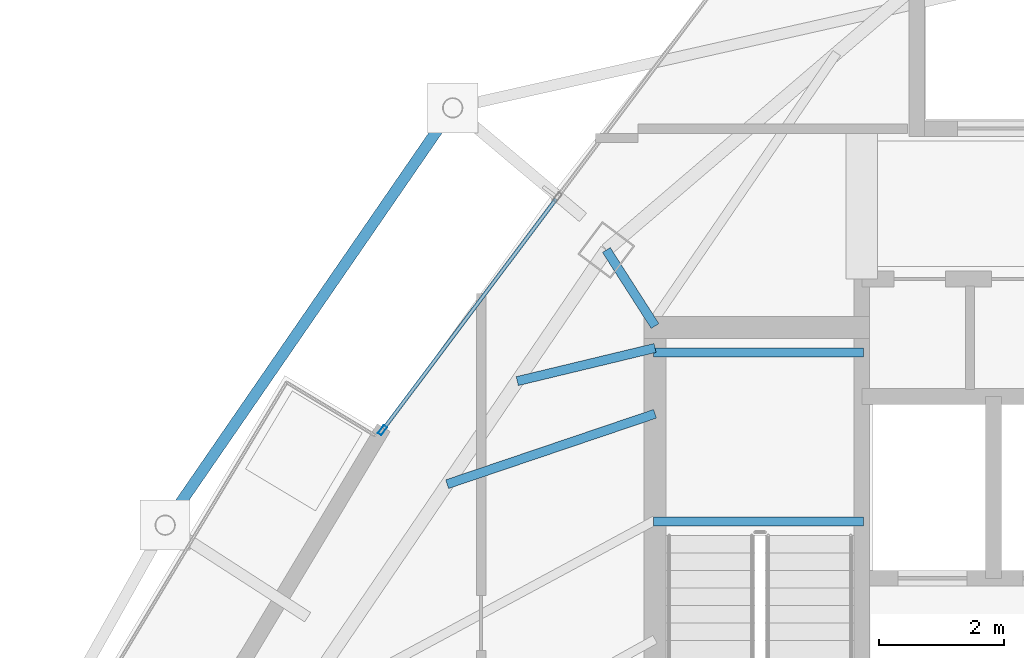
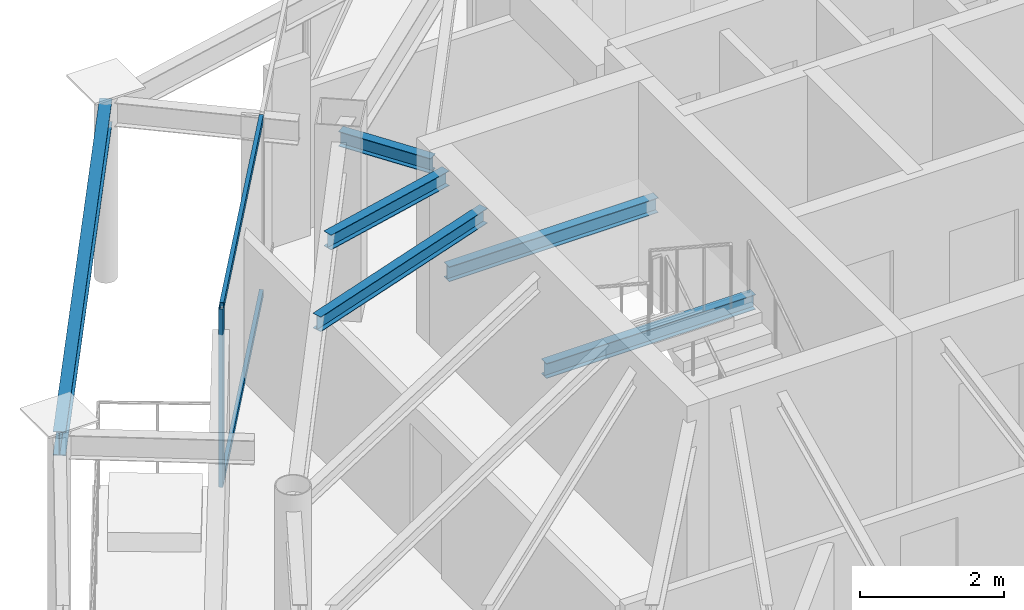
# One storey, part 12 of 30: 6 beams, 3 members, 1 element without a shape of its own.
"""IFC4 building model written with IfcOpenShell, lengths in metres."""

from ifc_helpers import new_model, si_unit, direction, frame, origin, origin_2d, place, context, subcontext, project, spatial, hollow_rectangle, i_section, extrude, material, layer, layer_set, material_profile, profile_set, type_object, element, aggregate, save


model = new_model("IFC4")

# Units and contexts
model_context = context("Model", 3, precision=1e-05, world=origin(), true_north=direction((0.0, 1.0)))
body_context = subcontext(model_context, "Body", "Model", "MODEL_VIEW")
ifc_project = project(units=[si_unit("LENGTHUNIT", "METRE"), si_unit("AREAUNIT", "SQUARE_METRE"), si_unit("VOLUMEUNIT", "CUBIC_METRE"), si_unit("PLANEANGLEUNIT", "RADIAN"), si_unit("MASSUNIT", "GRAM", prefix="KILO")], contexts=[model_context])

# Site, building, storey
site_placement = place(None, origin())
site = spatial("IfcSite", under=ifc_project, at=site_placement, CompositionType="ELEMENT")
building_placement = place(site_placement, origin())
building = spatial("IfcBuilding", under=site, at=building_placement, Name="Orvanel Arch Residences", CompositionType="ELEMENT")
storey_placement = place(building_placement, frame((0.0, 0.0, 273.35009765625)))
storey = spatial("IfcBuildingStorey", under=building, at=storey_placement, Name="L78", CompositionType="ELEMENT", Elevation=273.35009765625)

# Beams
ifc_material_1 = material(Name="Structural steel AS/NZS 3679.1 Grade 300 (300 MPa)", Category="steel")
ifc_material_profile_1 = material_profile(ifc_material_1, i_section(OverallWidth=0.14599609375, OverallDepth=0.251953125, WebThickness=0.006103515625, FlangeThickness=0.008544921875, at=origin_2d()), Name="250UB31.4")
ifc_profile_set_1 = profile_set([ifc_material_profile_1], Name="Structural steel AS/NZS 3679.1 Grade 300 (300 MPa)")
beam_type_1 = type_object("IfcBeamType", Name="BJ-250UB", PredefinedType="JOIST", material=ifc_profile_set_1)
for number, where, z_axis, x_axis, name in (
    (1, (26.39990234375, 30.780029296875, 1.323974609375), (1.0, 0.0, 0.0), (0.0, 1.0, 0.0), "L78 ST-1 Half-Landing Support Beam 1.1"),
    (2, (26.39990234375, 33.47998046875, 1.323974609375), (1.0, 0.0, 0.0), (0.0, 1.0, 0.0), "L78 ST-1 Half-Landing Support Beam 1.2"),
):
    element("IfcBeam", number, at=place(storey_placement, frame(where, z_axis=z_axis, x_axis=x_axis)), inside=storey, type_object=beam_type_1, Name=name, PredefinedType="JOIST", context=body_context, shape_type="SweptSolid", body=[
        extrude(i_section(OverallWidth=0.14599609375, OverallDepth=0.251953125, WebThickness=0.006103515625, FlangeThickness=0.008544921875, at=origin_2d()), origin(), (0.0, 0.0, 1.0), 3.35009765625),
    ])
beam_1_placement = place(storey_placement, frame((26.425048828125, 33.89990234375, 2.893798828125), z_axis=(-0.539395075146, 0.842052820735, 0.0), x_axis=(-0.842052820735, -0.539395075146, 0.0)))
element("IfcBeam", 3, at=beam_1_placement, inside=storey, type_object=beam_type_1, Name="L78 NNW Wing Floor Joist", PredefinedType="JOIST", context=body_context, shape_type="SweptSolid", body=[
    extrude(i_section(OverallWidth=0.14599609375, OverallDepth=0.251953125, WebThickness=0.006103515625, FlangeThickness=0.008544921875, at=origin_2d()), origin(), (0.0, 0.0, 1.0), 1.440673828125),
])
beam_2_placement = place(storey_placement, frame((26.425048828125, 32.5, 2.893798828125), z_axis=(-0.947187956478, -0.320678928373, 0.0), x_axis=(0.320678928373, -0.947187956478, 0.0)))
element("IfcBeam", 4, at=beam_2_placement, inside=storey, type_object=beam_type_1, Name="L78 WNW Wing Floor Joist", PredefinedType="JOIST", context=body_context, shape_type="SweptSolid", body=[
    extrude(i_section(OverallWidth=0.14599609375, OverallDepth=0.251953125, WebThickness=0.006103515625, FlangeThickness=0.008544921875, at=origin_2d()), origin(), (0.0, 0.0, 1.0), 3.502197265625),
])
beam_3_placement = place(storey_placement, frame((26.425048828125, 33.550048828125, 2.893798828125), z_axis=(-0.972256833016, -0.23391590509, 0.0), x_axis=(0.23391590509, -0.972256833016, 0.0)))
element("IfcBeam", 5, at=beam_3_placement, inside=storey, type_object=beam_type_1, Name="L78 JADD3 Wing Floor Joist", PredefinedType="JOIST", context=body_context, shape_type="SweptSolid", body=[
    extrude(i_section(OverallWidth=0.14599609375, OverallDepth=0.251953125, WebThickness=0.006103515625, FlangeThickness=0.008544921875, at=origin_2d()), origin(), (0.0, 0.0, 1.0), 2.26171875),
])

# Curtain wall, member
ifc_material_2 = material(Name="Bronze-anodised aluminium AA6063-T6", Category="aluminium")
ifc_layer = layer(ifc_material_2, 0.175048828125)
ifc_layer_set = layer_set([ifc_layer], Name="Bronze-anodised aluminium AA6063-T6")
curtain_wall_type = type_object("IfcCurtainWallType", Name="CW4-HI-SYS", PredefinedType="NOTDEFINED", material=ifc_layer_set)
curtain_wall_placement = place(storey_placement, origin())
curtain_wall = element("IfcCurtainWall", 6, at=curtain_wall_placement, inside=storey, type_object=curtain_wall_type, Name="L78 CW4-HI-SYS Unitised Curtain Wall", PredefinedType="NOTDEFINED")
ifc_material_profile_2 = material_profile(ifc_material_2, hollow_rectangle(XDim=0.06494140625, YDim=0.159912109375, WallThickness=0.00390625, at=origin_2d()), Name="ALU160x65x4")
ifc_profile_set_2 = profile_set([ifc_material_profile_2], Name="Bronze-anodised aluminium AA6063-T6")
member_type_1 = type_object("IfcMemberType", Name="MUL-160x65", PredefinedType="MULLION", material=ifc_profile_set_2)
member_1_placement = place(storey_placement, frame((22.075439453125, 32.237060546875, 0.0), z_axis=(0.0, 0.0, 1.0), x_axis=(0.799615096912, -0.60051286147, 0.0)))
member_1 = element("IfcMember", 7, at=member_1_placement, type_object=member_type_1, Name="CW-S4 mullion 3", PredefinedType="MULLION", context=body_context, shape_type="SweptSolid", body=[
    extrude(hollow_rectangle(XDim=0.06494140625, YDim=0.159912109375, WallThickness=0.00390625, at=origin_2d()), origin(), (0.0, 0.0, 1.0), 3.02001953125),
])

# Beam
ifc_material_profile_3 = material_profile(ifc_material_1, i_section(OverallWidth=0.177978515625, OverallDepth=0.406005859375, WebThickness=0.0078125, FlangeThickness=0.0126953125, at=origin_2d()), Name="410UB59.7")
ifc_profile_set_3 = profile_set([ifc_material_profile_3], Name="Structural steel AS/NZS 3679.1 Grade 300 (300 MPa)")
beam_type_2 = type_object("IfcBeamType", Name="OB-410UB-EXT", PredefinedType="SPANDREL", material=ifc_profile_set_3)
beam_4_placement = place(storey_placement, frame((23.196044921875, 37.381103515625, 2.81689453125), z_axis=(-0.567420351038, -0.823428287848, 0.0), x_axis=(0.823428287848, -0.567420351038, 0.0)))
element("IfcBeam", 8, at=beam_4_placement, inside=storey, type_object=beam_type_2, Name="L78 Outer Perimeter Floor Ring Beam 01", PredefinedType="SPANDREL", context=body_context, shape_type="SweptSolid", body=[
    extrude(i_section(OverallWidth=0.177978515625, OverallDepth=0.406005859375, WebThickness=0.0078125, FlangeThickness=0.0126953125, at=origin_2d()), origin(), (0.0, 0.0, 1.0), 8.0859375),
])

# Member
ifc_material_profile_4 = material_profile(ifc_material_2, hollow_rectangle(XDim=0.06005859375, YDim=0.1201171875, WallThickness=0.00341796875, at=origin_2d()), Name="ALU120x60x3.5")
ifc_profile_set_4 = profile_set([ifc_material_profile_4], Name="Bronze-anodised aluminium AA6063-T6")
member_type_2 = type_object("IfcMemberType", Name="TRN-120x60", PredefinedType="USERDEFINED", material=ifc_profile_set_4)
member_2_placement = place(storey_placement, frame((24.845947265625, 35.926025390625, 0.02978515625), z_axis=(-0.600511495191, -0.799616122989, 0.0), x_axis=(0.799616122989, -0.600511495191, 0.0)))
member_2 = element("IfcMember", 9, at=member_2_placement, type_object=member_type_2, Name="CW-S4 transom 2.1", ObjectType="TRANSOM", PredefinedType="USERDEFINED", context=body_context, shape_type="SweptSolid", body=[
    extrude(hollow_rectangle(XDim=0.06005859375, YDim=0.1201171875, WallThickness=0.00341796875, at=origin_2d()), origin(), (0.0, 0.0, 1.0), 4.5810546875),
])

member_3_placement = place(storey_placement, frame((24.845947265625, 35.926025390625, 2.989990234375), z_axis=(-0.600511495191, -0.799616122989, 0.0), x_axis=(0.799616122989, -0.600511495191, 0.0)))
member_3 = element("IfcMember", 10, at=member_3_placement, type_object=member_type_2, Name="CW-S4 transom 2.2", ObjectType="TRANSOM", PredefinedType="USERDEFINED", context=body_context, shape_type="SweptSolid", body=[
    extrude(hollow_rectangle(XDim=0.06005859375, YDim=0.1201171875, WallThickness=0.00341796875, at=origin_2d()), origin(), (0.0, 0.0, 1.0), 4.5810546875),
])

aggregate(curtain_wall, [member_1, member_2, member_3])

save(model, "model.ifc")
